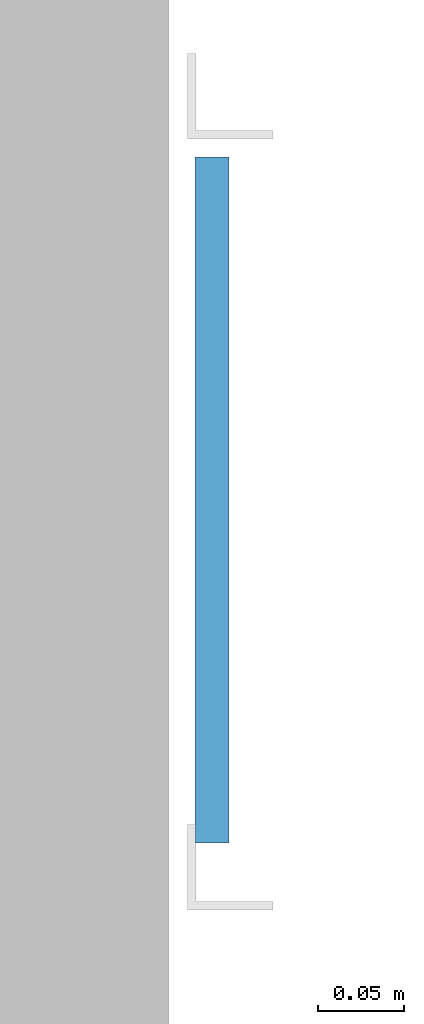
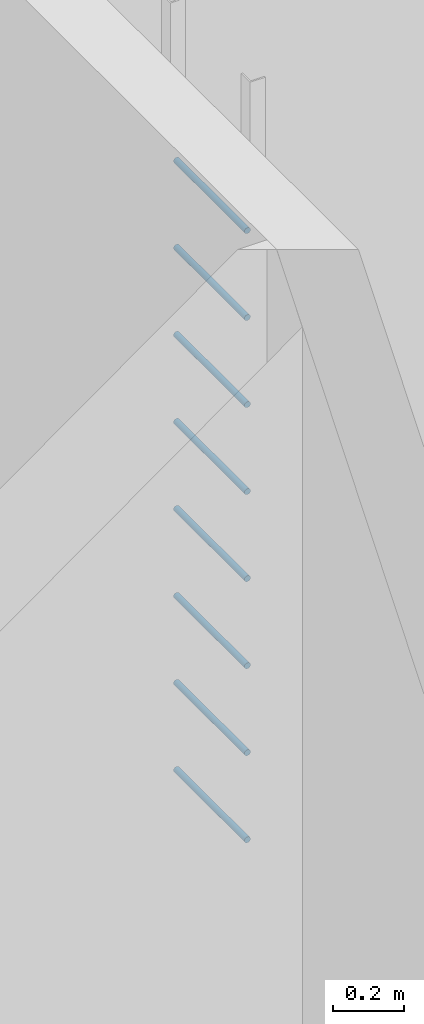
# One storey, part 29 of 87: 8 members.
"""IFC4 building model written with IfcOpenShell, lengths in metres."""

from ifc_helpers import new_model, si_unit, direction, frame, origin, origin_2d, place, context, subcontext, project, spatial, circle, extrude, material, material_profile, profile_set, type_object, element, save


model = new_model("IFC4")

# Units and contexts
model_context = context("Model", 3, precision=1e-05, world=origin(), true_north=direction((0.0, 1.0)))
body_context = subcontext(model_context, "Body", "Model", "MODEL_VIEW")
ifc_project = project(units=[si_unit("LENGTHUNIT", "METRE"), si_unit("AREAUNIT", "SQUARE_METRE"), si_unit("VOLUMEUNIT", "CUBIC_METRE"), si_unit("PLANEANGLEUNIT", "RADIAN"), si_unit("MASSUNIT", "GRAM", prefix="KILO")], contexts=[model_context])

# Site, building, storey
site_placement = place(None, origin())
site = spatial("IfcSite", under=ifc_project, at=site_placement, CompositionType="ELEMENT")
building_placement = place(site_placement, origin())
building = spatial("IfcBuilding", under=site, at=building_placement, Name="Ridgestep Commons", CompositionType="ELEMENT")
storey_placement = place(building_placement, frame((0.0, 0.0, 27.0)))
storey = spatial("IfcBuildingStorey", under=building, at=storey_placement, Name="L09", CompositionType="ELEMENT", Elevation=27.0)

# Members
ifc_material = material(Name="Structural steel S355JR", Category="steel")
ifc_material_profile = material_profile(ifc_material, circle(Radius=0.010009765625, at=origin_2d()), Name="Round bar 20")
ifc_profile_set = profile_set([ifc_material_profile], Name="Structural steel S355JR")
member_type = type_object("IfcMemberType", Name="Core ladder rung 20", PredefinedType="STRINGER", material=ifc_profile_set)
for number, where, z_axis, x_axis, name in (
    (1, (233.800048828125, 75.89990234375, 0.300048828125), (0.0, 1.0, 0.0), (-1.0, 0.0, 0.0), "Ladder rung C6C.1"),
    (2, (233.800048828125, 75.89990234375, 0.60009765625), (0.0, 1.0, 0.0), (-1.0, 0.0, 0.0), "Ladder rung C6C.2"),
    (3, (233.800048828125, 75.89990234375, 0.89990234375), (0.0, 1.0, 0.0), (-1.0, 0.0, 0.0), "Ladder rung C6C.3"),
    (4, (233.800048828125, 75.89990234375, 1.199951171875), (0.0, 1.0, 0.0), (-1.0, 0.0, 0.0), "Ladder rung C6C.4"),
    (5, (233.800048828125, 75.89990234375, 1.5), (0.0, 1.0, 0.0), (-1.0, 0.0, 0.0), "Ladder rung C6C.5"),
    (6, (233.800048828125, 75.89990234375, 1.800048828125), (0.0, 1.0, 0.0), (-1.0, 0.0, 0.0), "Ladder rung C6C.6"),
    (7, (233.800048828125, 75.89990234375, 2.10009765625), (0.0, 1.0, 0.0), (-1.0, 0.0, 0.0), "Ladder rung C6C.7"),
    (8, (233.800048828125, 75.89990234375, 2.39990234375), (0.0, 1.0, 0.0), (-1.0, 0.0, 0.0), "Ladder rung C6C.8"),
):
    element("IfcMember", number, at=place(storey_placement, frame(where, z_axis=z_axis, x_axis=x_axis)), inside=storey, type_object=member_type, Name=name, PredefinedType="STRINGER", context=body_context, shape_type="SweptSolid", body=[
        extrude(circle(Radius=0.010009765625, at=origin_2d()), origin(), (0.0, 0.0, 1.0), 0.400146484375),
    ])

save(model, "model.ifc")
